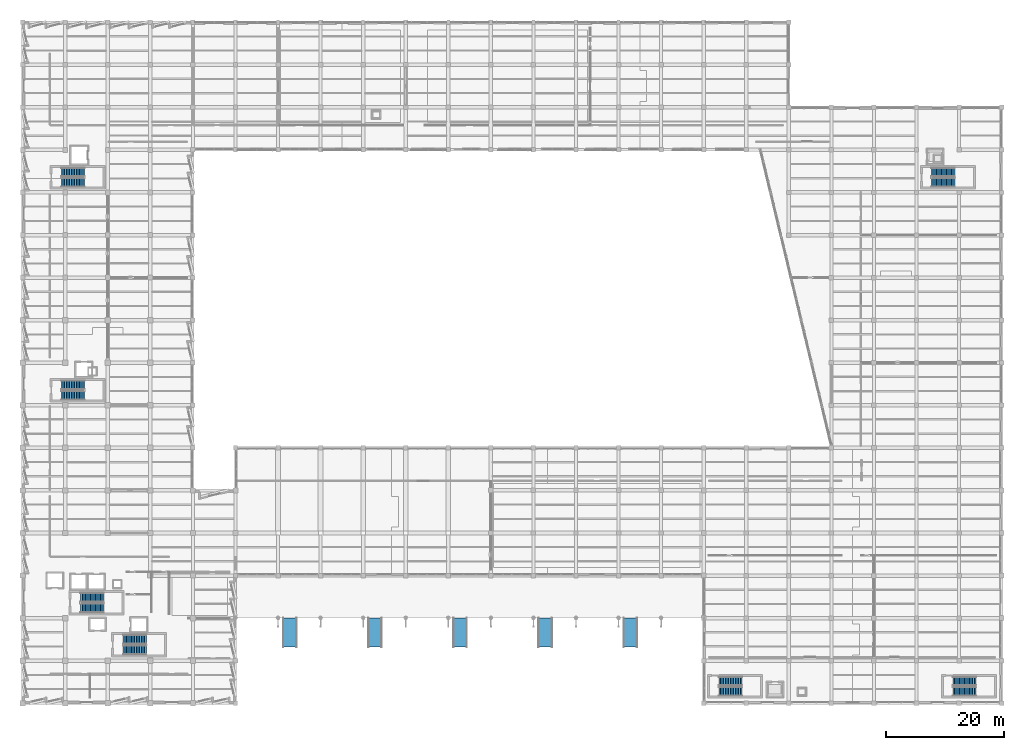
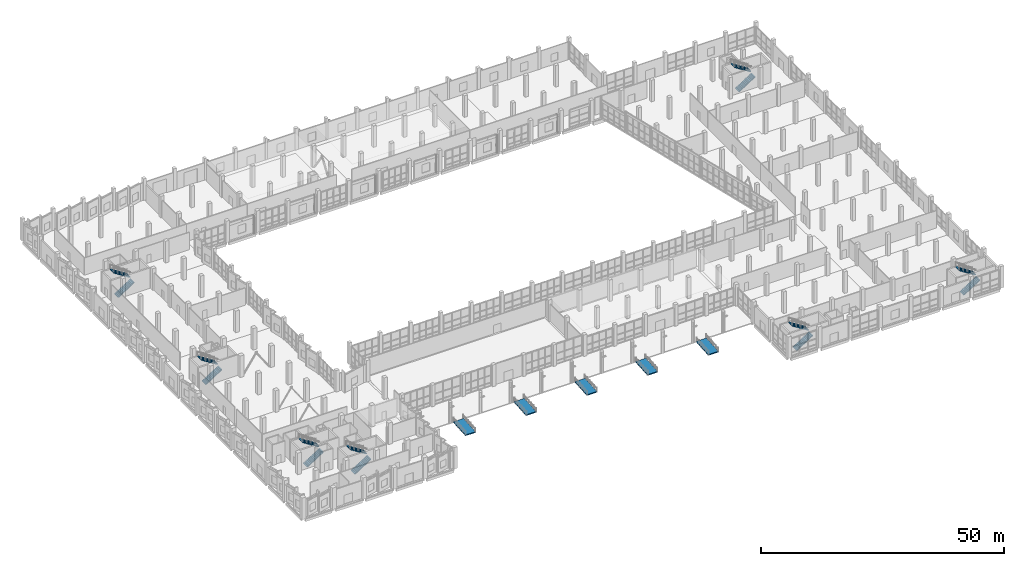
# One storey, part 113 of 137: 14 stair flights, 5 ramp flights, 12 elements without a shape of their own.
"""IFC4 building model written with IfcOpenShell, lengths in metres."""

from ifc_helpers import new_model, si_unit, direction, frame, origin, place, context, subcontext, project, spatial, polyline, outline, extrude, material, layer, layer_set, type_object, element, aggregate, save


model = new_model("IFC4")

# Units and contexts
model_context = context("Model", 3, precision=1e-05, world=origin(), true_north=direction((0.0, 1.0)))
body_context = subcontext(model_context, "Body", "Model", "MODEL_VIEW")
ifc_project = project(units=[si_unit("LENGTHUNIT", "METRE"), si_unit("AREAUNIT", "SQUARE_METRE"), si_unit("VOLUMEUNIT", "CUBIC_METRE"), si_unit("PLANEANGLEUNIT", "RADIAN"), si_unit("MASSUNIT", "GRAM", prefix="KILO")], contexts=[model_context])

# Site, building, storey
site_placement = place(None, origin())
site = spatial("IfcSite", under=ifc_project, at=site_placement, CompositionType="ELEMENT")
building_placement = place(site_placement, origin())
building = spatial("IfcBuilding", under=site, at=building_placement, Name="Kalmorath City Hall", CompositionType="ELEMENT")
storey_placement = place(building_placement, origin())
storey = spatial("IfcBuildingStorey", under=building, at=storey_placement, Name="L00", CompositionType="ELEMENT", Elevation=0.0)

# Stair, stair flights
ifc_material_1 = material(Name="Concrete C40/50", Category="concrete")
stair_type_1 = type_object("IfcStairType", Name="Dogleg concrete exit stair 30R x 180mm W1550", PredefinedType="HALF_TURN_STAIR", material=ifc_material_1)
stair_1_placement = place(storey_placement, origin())
stair_1 = element("IfcStair", 1, at=stair_1_placement, inside=storey, type_object=stair_type_1, Name="L00 Protected exit stair ST-3", PredefinedType="HALF_TURN_STAIR")
ifc_material_2 = material(Name="Concrete C40/50", Category="concrete")
stair_flight_type_1 = type_object("IfcStairFlightType", Name="Concrete stair flight 180x280 W1550", PredefinedType="STRAIGHT", material=ifc_material_2)
stair_flight_1_placement = place(storey_placement, frame((6.550048828125, 52.074951171875, 0.0), z_axis=(0.0, 0.0, 1.0), x_axis=(1.0, 0.0, 0.0)))
stair_flight_1 = element("IfcStairFlight", 2, at=stair_flight_1_placement, type_object=stair_flight_type_1, Name="ST-3 flight 1", NumberOfRisers=15, NumberOfTreads=14, PredefinedType="STRAIGHT", RiserHeight=0.18, TreadLength=0.28, context=body_context, shape_type="SweptSolid", body=[
    extrude(outline(polyline([(0.0, 0.0), (0.0, 0.179931640625), (0.280029296875, 0.179931640625), (0.280029296875, 0.360107421875), (0.56005859375, 0.360107421875), (0.56005859375, 0.5400390625), (0.840087890625, 0.5400390625), (0.840087890625, 0.719970703125), (1.1201171875, 0.719970703125), (1.1201171875, 0.89990234375), (1.39990234375, 0.89990234375), (1.39990234375, 1.080078125), (1.679931640625, 1.080078125), (1.679931640625, 1.260009765625), (1.9599609375, 1.260009765625), (1.9599609375, 1.43994140625), (2.239990234375, 1.43994140625), (2.239990234375, 1.6201171875), (2.52001953125, 1.6201171875), (2.52001953125, 1.800048828125), (2.800048828125, 1.800048828125), (2.800048828125, 1.97998046875), (3.080078125, 1.97998046875), (3.080078125, 2.159912109375), (3.360107421875, 2.159912109375), (3.360107421875, 2.340087890625), (3.639892578125, 2.340087890625), (3.639892578125, 2.52001953125), (3.919921875, 2.52001953125), (3.919921875, 2.699951171875), (3.919921875, 2.341796875), (0.277099609375, 0.0), (0.0, 0.0)])), frame((0.0, 0.77490234375, 0.0), z_axis=(0.0, -1.0, 0.0), x_axis=(1.0, 0.0, 0.0)), (0.0, 0.0, 1.0), 1.550048828125),
])
stair_flight_2_placement = place(storey_placement, frame((10.469970703125, 53.824951171875, 2.699951171875), z_axis=(0.0, 0.0, 1.0), x_axis=(-1.0, 0.0, 0.0)))
stair_flight_2 = element("IfcStairFlight", 3, at=stair_flight_2_placement, type_object=stair_flight_type_1, Name="ST-3 flight 2", NumberOfRisers=15, NumberOfTreads=14, PredefinedType="STRAIGHT", RiserHeight=0.18, TreadLength=0.28, context=body_context, shape_type="SweptSolid", body=[
    extrude(outline(polyline([(0.0, 0.0), (0.0, 0.179931640625), (0.280029296875, 0.179931640625), (0.280029296875, 0.360107421875), (0.56005859375, 0.360107421875), (0.56005859375, 0.5400390625), (0.840087890625, 0.5400390625), (0.840087890625, 0.719970703125), (1.1201171875, 0.719970703125), (1.1201171875, 0.89990234375), (1.39990234375, 0.89990234375), (1.39990234375, 1.080078125), (1.679931640625, 1.080078125), (1.679931640625, 1.260009765625), (1.9599609375, 1.260009765625), (1.9599609375, 1.43994140625), (2.239990234375, 1.43994140625), (2.239990234375, 1.6201171875), (2.52001953125, 1.6201171875), (2.52001953125, 1.800048828125), (2.800048828125, 1.800048828125), (2.800048828125, 1.97998046875), (3.080078125, 1.97998046875), (3.080078125, 2.159912109375), (3.360107421875, 2.159912109375), (3.360107421875, 2.340087890625), (3.639892578125, 2.340087890625), (3.639892578125, 2.52001953125), (3.919921875, 2.52001953125), (3.919921875, 2.699951171875), (3.919921875, 2.341796875), (0.277099609375, 0.0), (0.0, 0.0)])), frame((0.0, 0.77490234375, 0.0), z_axis=(0.0, -1.0, 0.0), x_axis=(1.0, 0.0, 0.0)), (0.0, 0.0, 1.0), 1.550048828125),
])
aggregate(stair_1, [stair_flight_1, stair_flight_2])

stair_2_placement = place(storey_placement, origin())
stair_2 = element("IfcStair", 4, at=stair_2_placement, inside=storey, type_object=stair_type_1, Name="L00 Protected exit stair ST-4", PredefinedType="HALF_TURN_STAIR")
stair_flight_3_placement = place(storey_placement, frame((6.550048828125, 88.074951171875, 0.0), z_axis=(0.0, 0.0, 1.0), x_axis=(1.0, 0.0, 0.0)))
stair_flight_3 = element("IfcStairFlight", 5, at=stair_flight_3_placement, type_object=stair_flight_type_1, Name="ST-4 flight 1", NumberOfRisers=15, NumberOfTreads=14, PredefinedType="STRAIGHT", RiserHeight=0.18, TreadLength=0.28, context=body_context, shape_type="SweptSolid", body=[
    extrude(outline(polyline([(0.0, 0.0), (0.0, 0.179931640625), (0.280029296875, 0.179931640625), (0.280029296875, 0.360107421875), (0.56005859375, 0.360107421875), (0.56005859375, 0.5400390625), (0.840087890625, 0.5400390625), (0.840087890625, 0.719970703125), (1.1201171875, 0.719970703125), (1.1201171875, 0.89990234375), (1.39990234375, 0.89990234375), (1.39990234375, 1.080078125), (1.679931640625, 1.080078125), (1.679931640625, 1.260009765625), (1.9599609375, 1.260009765625), (1.9599609375, 1.43994140625), (2.239990234375, 1.43994140625), (2.239990234375, 1.6201171875), (2.52001953125, 1.6201171875), (2.52001953125, 1.800048828125), (2.800048828125, 1.800048828125), (2.800048828125, 1.97998046875), (3.080078125, 1.97998046875), (3.080078125, 2.159912109375), (3.360107421875, 2.159912109375), (3.360107421875, 2.340087890625), (3.639892578125, 2.340087890625), (3.639892578125, 2.52001953125), (3.919921875, 2.52001953125), (3.919921875, 2.699951171875), (3.919921875, 2.341796875), (0.277099609375, 0.0), (0.0, 0.0)])), frame((0.0, 0.77490234375, 0.0), z_axis=(0.0, -1.0, 0.0), x_axis=(1.0, 0.0, 0.0)), (0.0, 0.0, 1.0), 1.550048828125),
])
stair_flight_4_placement = place(storey_placement, frame((10.469970703125, 89.824951171875, 2.699951171875), z_axis=(0.0, 0.0, 1.0), x_axis=(-1.0, 0.0, 0.0)))
stair_flight_4 = element("IfcStairFlight", 6, at=stair_flight_4_placement, type_object=stair_flight_type_1, Name="ST-4 flight 2", NumberOfRisers=15, NumberOfTreads=14, PredefinedType="STRAIGHT", RiserHeight=0.18, TreadLength=0.28, context=body_context, shape_type="SweptSolid", body=[
    extrude(outline(polyline([(0.0, 0.0), (0.0, 0.179931640625), (0.280029296875, 0.179931640625), (0.280029296875, 0.360107421875), (0.56005859375, 0.360107421875), (0.56005859375, 0.5400390625), (0.840087890625, 0.5400390625), (0.840087890625, 0.719970703125), (1.1201171875, 0.719970703125), (1.1201171875, 0.89990234375), (1.39990234375, 0.89990234375), (1.39990234375, 1.080078125), (1.679931640625, 1.080078125), (1.679931640625, 1.260009765625), (1.9599609375, 1.260009765625), (1.9599609375, 1.43994140625), (2.239990234375, 1.43994140625), (2.239990234375, 1.6201171875), (2.52001953125, 1.6201171875), (2.52001953125, 1.800048828125), (2.800048828125, 1.800048828125), (2.800048828125, 1.97998046875), (3.080078125, 1.97998046875), (3.080078125, 2.159912109375), (3.360107421875, 2.159912109375), (3.360107421875, 2.340087890625), (3.639892578125, 2.340087890625), (3.639892578125, 2.52001953125), (3.919921875, 2.52001953125), (3.919921875, 2.699951171875), (3.919921875, 2.341796875), (0.277099609375, 0.0), (0.0, 0.0)])), frame((0.0, 0.77490234375, 0.0), z_axis=(0.0, -1.0, 0.0), x_axis=(1.0, 0.0, 0.0)), (0.0, 0.0, 1.0), 1.550048828125),
])
aggregate(stair_2, [stair_flight_3, stair_flight_4])

stair_3_placement = place(storey_placement, origin())
stair_3 = element("IfcStair", 7, at=stair_3_placement, inside=storey, type_object=stair_type_1, Name="L00 Protected exit stair ST-5", PredefinedType="HALF_TURN_STAIR")
stair_flight_5_placement = place(storey_placement, frame((117.75, 1.97509765625, 0.0), z_axis=(0.0, 0.0, 1.0), x_axis=(1.0, 0.0, 0.0)))
stair_flight_5 = element("IfcStairFlight", 8, at=stair_flight_5_placement, type_object=stair_flight_type_1, Name="ST-5 flight 1", NumberOfRisers=15, NumberOfTreads=14, PredefinedType="STRAIGHT", RiserHeight=0.18, TreadLength=0.28, context=body_context, shape_type="SweptSolid", body=[
    extrude(outline(polyline([(0.0, 0.0), (0.0, 0.179931640625), (0.280029296875, 0.179931640625), (0.280029296875, 0.360107421875), (0.56005859375, 0.360107421875), (0.56005859375, 0.5400390625), (0.840087890625, 0.5400390625), (0.840087890625, 0.719970703125), (1.1201171875, 0.719970703125), (1.1201171875, 0.89990234375), (1.39990234375, 0.89990234375), (1.39990234375, 1.080078125), (1.679931640625, 1.080078125), (1.679931640625, 1.260009765625), (1.9599609375, 1.260009765625), (1.9599609375, 1.43994140625), (2.239990234375, 1.43994140625), (2.239990234375, 1.6201171875), (2.52001953125, 1.6201171875), (2.52001953125, 1.800048828125), (2.800048828125, 1.800048828125), (2.800048828125, 1.97998046875), (3.080078125, 1.97998046875), (3.080078125, 2.159912109375), (3.360107421875, 2.159912109375), (3.360107421875, 2.340087890625), (3.639892578125, 2.340087890625), (3.639892578125, 2.52001953125), (3.919921875, 2.52001953125), (3.919921875, 2.699951171875), (3.919921875, 2.341796875), (0.277099609375, 0.0), (0.0, 0.0)])), frame((0.0, 0.77490234375, 0.0), z_axis=(0.0, -1.0, 0.0), x_axis=(1.0, 0.0, 0.0)), (0.0, 0.0, 1.0), 1.550048828125),
])
stair_flight_6_placement = place(storey_placement, frame((121.669921875, 3.72509765625, 2.699951171875), z_axis=(0.0, 0.0, 1.0), x_axis=(-1.0, 0.0, 0.0)))
stair_flight_6 = element("IfcStairFlight", 9, at=stair_flight_6_placement, type_object=stair_flight_type_1, Name="ST-5 flight 2", NumberOfRisers=15, NumberOfTreads=14, PredefinedType="STRAIGHT", RiserHeight=0.18, TreadLength=0.28, context=body_context, shape_type="SweptSolid", body=[
    extrude(outline(polyline([(0.0, 0.0), (0.0, 0.179931640625), (0.280029296875, 0.179931640625), (0.280029296875, 0.360107421875), (0.56005859375, 0.360107421875), (0.56005859375, 0.5400390625), (0.840087890625, 0.5400390625), (0.840087890625, 0.719970703125), (1.1201171875, 0.719970703125), (1.1201171875, 0.89990234375), (1.39990234375, 0.89990234375), (1.39990234375, 1.080078125), (1.679931640625, 1.080078125), (1.679931640625, 1.260009765625), (1.9599609375, 1.260009765625), (1.9599609375, 1.43994140625), (2.239990234375, 1.43994140625), (2.239990234375, 1.6201171875), (2.52001953125, 1.6201171875), (2.52001953125, 1.800048828125), (2.800048828125, 1.800048828125), (2.800048828125, 1.97998046875), (3.080078125, 1.97998046875), (3.080078125, 2.159912109375), (3.360107421875, 2.159912109375), (3.360107421875, 2.340087890625), (3.639892578125, 2.340087890625), (3.639892578125, 2.52001953125), (3.919921875, 2.52001953125), (3.919921875, 2.699951171875), (3.919921875, 2.341796875), (0.277099609375, 0.0), (0.0, 0.0)])), frame((0.0, 0.77490234375, 0.0), z_axis=(0.0, -1.0, 0.0), x_axis=(1.0, 0.0, 0.0)), (0.0, 0.0, 1.0), 1.550048828125),
])
aggregate(stair_3, [stair_flight_5, stair_flight_6])

stair_4_placement = place(storey_placement, origin())
stair_4 = element("IfcStair", 10, at=stair_4_placement, inside=storey, type_object=stair_type_1, Name="L00 Protected exit stair ST-6", PredefinedType="HALF_TURN_STAIR")
stair_flight_7_placement = place(storey_placement, frame((153.75, 88.074951171875, 0.0), z_axis=(0.0, 0.0, 1.0), x_axis=(1.0, 0.0, 0.0)))
stair_flight_7 = element("IfcStairFlight", 11, at=stair_flight_7_placement, type_object=stair_flight_type_1, Name="ST-6 flight 1", NumberOfRisers=15, NumberOfTreads=14, PredefinedType="STRAIGHT", RiserHeight=0.18, TreadLength=0.28, context=body_context, shape_type="SweptSolid", body=[
    extrude(outline(polyline([(0.0, 0.0), (0.0, 0.179931640625), (0.280029296875, 0.179931640625), (0.280029296875, 0.360107421875), (0.56005859375, 0.360107421875), (0.56005859375, 0.5400390625), (0.840087890625, 0.5400390625), (0.840087890625, 0.719970703125), (1.1201171875, 0.719970703125), (1.1201171875, 0.89990234375), (1.39990234375, 0.89990234375), (1.39990234375, 1.080078125), (1.679931640625, 1.080078125), (1.679931640625, 1.260009765625), (1.9599609375, 1.260009765625), (1.9599609375, 1.43994140625), (2.239990234375, 1.43994140625), (2.239990234375, 1.6201171875), (2.52001953125, 1.6201171875), (2.52001953125, 1.800048828125), (2.800048828125, 1.800048828125), (2.800048828125, 1.97998046875), (3.080078125, 1.97998046875), (3.080078125, 2.159912109375), (3.360107421875, 2.159912109375), (3.360107421875, 2.340087890625), (3.639892578125, 2.340087890625), (3.639892578125, 2.52001953125), (3.919921875, 2.52001953125), (3.919921875, 2.699951171875), (3.919921875, 2.341796875), (0.277099609375, 0.0), (0.0, 0.0)])), frame((0.0, 0.77490234375, 0.0), z_axis=(0.0, -1.0, 0.0), x_axis=(1.0, 0.0, 0.0)), (0.0, 0.0, 1.0), 1.550048828125),
])
stair_flight_8_placement = place(storey_placement, frame((157.669921875, 89.824951171875, 2.699951171875), z_axis=(0.0, 0.0, 1.0), x_axis=(-1.0, 0.0, 0.0)))
stair_flight_8 = element("IfcStairFlight", 12, at=stair_flight_8_placement, type_object=stair_flight_type_1, Name="ST-6 flight 2", NumberOfRisers=15, NumberOfTreads=14, PredefinedType="STRAIGHT", RiserHeight=0.18, TreadLength=0.28, context=body_context, shape_type="SweptSolid", body=[
    extrude(outline(polyline([(0.0, 0.0), (0.0, 0.179931640625), (0.280029296875, 0.179931640625), (0.280029296875, 0.360107421875), (0.56005859375, 0.360107421875), (0.56005859375, 0.5400390625), (0.840087890625, 0.5400390625), (0.840087890625, 0.719970703125), (1.1201171875, 0.719970703125), (1.1201171875, 0.89990234375), (1.39990234375, 0.89990234375), (1.39990234375, 1.080078125), (1.679931640625, 1.080078125), (1.679931640625, 1.260009765625), (1.9599609375, 1.260009765625), (1.9599609375, 1.43994140625), (2.239990234375, 1.43994140625), (2.239990234375, 1.6201171875), (2.52001953125, 1.6201171875), (2.52001953125, 1.800048828125), (2.800048828125, 1.800048828125), (2.800048828125, 1.97998046875), (3.080078125, 1.97998046875), (3.080078125, 2.159912109375), (3.360107421875, 2.159912109375), (3.360107421875, 2.340087890625), (3.639892578125, 2.340087890625), (3.639892578125, 2.52001953125), (3.919921875, 2.52001953125), (3.919921875, 2.699951171875), (3.919921875, 2.341796875), (0.277099609375, 0.0), (0.0, 0.0)])), frame((0.0, 0.77490234375, 0.0), z_axis=(0.0, -1.0, 0.0), x_axis=(1.0, 0.0, 0.0)), (0.0, 0.0, 1.0), 1.550048828125),
])
aggregate(stair_4, [stair_flight_7, stair_flight_8])

stair_5_placement = place(storey_placement, origin())
stair_5 = element("IfcStair", 13, at=stair_5_placement, inside=storey, type_object=stair_type_1, Name="L00 Protected exit stair ST-7", PredefinedType="HALF_TURN_STAIR")
stair_flight_9_placement = place(storey_placement, frame((157.35009765625, 1.97509765625, 0.0), z_axis=(0.0, 0.0, 1.0), x_axis=(1.0, 0.0, 0.0)))
stair_flight_9 = element("IfcStairFlight", 14, at=stair_flight_9_placement, type_object=stair_flight_type_1, Name="ST-7 flight 1", NumberOfRisers=15, NumberOfTreads=14, PredefinedType="STRAIGHT", RiserHeight=0.18, TreadLength=0.28, context=body_context, shape_type="SweptSolid", body=[
    extrude(outline(polyline([(0.0, 0.0), (0.0, 0.179931640625), (0.280029296875, 0.179931640625), (0.280029296875, 0.360107421875), (0.56005859375, 0.360107421875), (0.56005859375, 0.5400390625), (0.840087890625, 0.5400390625), (0.840087890625, 0.719970703125), (1.1201171875, 0.719970703125), (1.1201171875, 0.89990234375), (1.39990234375, 0.89990234375), (1.39990234375, 1.080078125), (1.679931640625, 1.080078125), (1.679931640625, 1.260009765625), (1.9599609375, 1.260009765625), (1.9599609375, 1.43994140625), (2.239990234375, 1.43994140625), (2.239990234375, 1.6201171875), (2.52001953125, 1.6201171875), (2.52001953125, 1.800048828125), (2.800048828125, 1.800048828125), (2.800048828125, 1.97998046875), (3.080078125, 1.97998046875), (3.080078125, 2.159912109375), (3.360107421875, 2.159912109375), (3.360107421875, 2.340087890625), (3.639892578125, 2.340087890625), (3.639892578125, 2.52001953125), (3.919921875, 2.52001953125), (3.919921875, 2.699951171875), (3.919921875, 2.341796875), (0.277099609375, 0.0), (0.0, 0.0)])), frame((0.0, 0.77490234375, 0.0), z_axis=(0.0, -1.0, 0.0), x_axis=(1.0, 0.0, 0.0)), (0.0, 0.0, 1.0), 1.550048828125),
])
stair_flight_10_placement = place(storey_placement, frame((161.27001953125, 3.72509765625, 2.699951171875), z_axis=(0.0, 0.0, 1.0), x_axis=(-1.0, 0.0, 0.0)))
stair_flight_10 = element("IfcStairFlight", 15, at=stair_flight_10_placement, type_object=stair_flight_type_1, Name="ST-7 flight 2", NumberOfRisers=15, NumberOfTreads=14, PredefinedType="STRAIGHT", RiserHeight=0.18, TreadLength=0.28, context=body_context, shape_type="SweptSolid", body=[
    extrude(outline(polyline([(0.0, 0.0), (0.0, 0.179931640625), (0.280029296875, 0.179931640625), (0.280029296875, 0.360107421875), (0.56005859375, 0.360107421875), (0.56005859375, 0.5400390625), (0.840087890625, 0.5400390625), (0.840087890625, 0.719970703125), (1.1201171875, 0.719970703125), (1.1201171875, 0.89990234375), (1.39990234375, 0.89990234375), (1.39990234375, 1.080078125), (1.679931640625, 1.080078125), (1.679931640625, 1.260009765625), (1.9599609375, 1.260009765625), (1.9599609375, 1.43994140625), (2.239990234375, 1.43994140625), (2.239990234375, 1.6201171875), (2.52001953125, 1.6201171875), (2.52001953125, 1.800048828125), (2.800048828125, 1.800048828125), (2.800048828125, 1.97998046875), (3.080078125, 1.97998046875), (3.080078125, 2.159912109375), (3.360107421875, 2.159912109375), (3.360107421875, 2.340087890625), (3.639892578125, 2.340087890625), (3.639892578125, 2.52001953125), (3.919921875, 2.52001953125), (3.919921875, 2.699951171875), (3.919921875, 2.341796875), (0.277099609375, 0.0), (0.0, 0.0)])), frame((0.0, 0.77490234375, 0.0), z_axis=(0.0, -1.0, 0.0), x_axis=(1.0, 0.0, 0.0)), (0.0, 0.0, 1.0), 1.550048828125),
])
aggregate(stair_5, [stair_flight_9, stair_flight_10])

ifc_material_3 = material(Name="Concrete C40/50", Category="concrete")
stair_type_2 = type_object("IfcStairType", Name="Dogleg concrete exit stair 30R x 180mm W1600", PredefinedType="HALF_TURN_STAIR", material=ifc_material_3)
stair_6_placement = place(storey_placement, origin())
stair_6 = element("IfcStair", 16, at=stair_6_placement, inside=storey, type_object=stair_type_2, Name="L00 Protected exit stair ST-1", PredefinedType="HALF_TURN_STAIR")
ifc_material_4 = material(Name="Concrete C40/50", Category="concrete")
stair_flight_type_2 = type_object("IfcStairFlightType", Name="Concrete stair flight 180x280 W1600", PredefinedType="STRAIGHT", material=ifc_material_4)
stair_flight_11_placement = place(storey_placement, frame((9.800048828125, 16.10009765625, 0.0), z_axis=(0.0, 0.0, 1.0), x_axis=(1.0, 0.0, 0.0)))
stair_flight_11 = element("IfcStairFlight", 17, at=stair_flight_11_placement, type_object=stair_flight_type_2, Name="ST-1 flight 1", NumberOfRisers=15, NumberOfTreads=14, PredefinedType="STRAIGHT", RiserHeight=0.18, TreadLength=0.28, context=body_context, shape_type="SweptSolid", body=[
    extrude(outline(polyline([(0.0, 0.0), (0.0, 0.179931640625), (0.280029296875, 0.179931640625), (0.280029296875, 0.360107421875), (0.56005859375, 0.360107421875), (0.56005859375, 0.5400390625), (0.840087890625, 0.5400390625), (0.840087890625, 0.719970703125), (1.1201171875, 0.719970703125), (1.1201171875, 0.89990234375), (1.39990234375, 0.89990234375), (1.39990234375, 1.080078125), (1.679931640625, 1.080078125), (1.679931640625, 1.260009765625), (1.9599609375, 1.260009765625), (1.9599609375, 1.43994140625), (2.239990234375, 1.43994140625), (2.239990234375, 1.6201171875), (2.52001953125, 1.6201171875), (2.52001953125, 1.800048828125), (2.800048828125, 1.800048828125), (2.800048828125, 1.97998046875), (3.080078125, 1.97998046875), (3.080078125, 2.159912109375), (3.360107421875, 2.159912109375), (3.360107421875, 2.340087890625), (3.639892578125, 2.340087890625), (3.639892578125, 2.52001953125), (3.919921875, 2.52001953125), (3.919921875, 2.699951171875), (3.919921875, 2.341796875), (0.277099609375, 0.0), (0.0, 0.0)])), frame((0.0, 0.800048828125, 0.0), z_axis=(0.0, -1.0, 0.0), x_axis=(1.0, 0.0, 0.0)), (0.0, 0.0, 1.0), 1.60009765625),
])
stair_flight_12_placement = place(storey_placement, frame((13.719970703125, 17.89990234375, 2.699951171875), z_axis=(0.0, 0.0, 1.0), x_axis=(-1.0, 0.0, 0.0)))
stair_flight_12 = element("IfcStairFlight", 18, at=stair_flight_12_placement, type_object=stair_flight_type_2, Name="ST-1 flight 2", NumberOfRisers=15, NumberOfTreads=14, PredefinedType="STRAIGHT", RiserHeight=0.18, TreadLength=0.28, context=body_context, shape_type="SweptSolid", body=[
    extrude(outline(polyline([(0.0, 0.0), (0.0, 0.179931640625), (0.280029296875, 0.179931640625), (0.280029296875, 0.360107421875), (0.56005859375, 0.360107421875), (0.56005859375, 0.5400390625), (0.840087890625, 0.5400390625), (0.840087890625, 0.719970703125), (1.1201171875, 0.719970703125), (1.1201171875, 0.89990234375), (1.39990234375, 0.89990234375), (1.39990234375, 1.080078125), (1.679931640625, 1.080078125), (1.679931640625, 1.260009765625), (1.9599609375, 1.260009765625), (1.9599609375, 1.43994140625), (2.239990234375, 1.43994140625), (2.239990234375, 1.6201171875), (2.52001953125, 1.6201171875), (2.52001953125, 1.800048828125), (2.800048828125, 1.800048828125), (2.800048828125, 1.97998046875), (3.080078125, 1.97998046875), (3.080078125, 2.159912109375), (3.360107421875, 2.159912109375), (3.360107421875, 2.340087890625), (3.639892578125, 2.340087890625), (3.639892578125, 2.52001953125), (3.919921875, 2.52001953125), (3.919921875, 2.699951171875), (3.919921875, 2.341796875), (0.277099609375, 0.0), (0.0, 0.0)])), frame((0.0, 0.800048828125, 0.0), z_axis=(0.0, -1.0, 0.0), x_axis=(1.0, 0.0, 0.0)), (0.0, 0.0, 1.0), 1.60009765625),
])
aggregate(stair_6, [stair_flight_11, stair_flight_12])

stair_7_placement = place(storey_placement, origin())
stair_7 = element("IfcStair", 19, at=stair_7_placement, inside=storey, type_object=stair_type_2, Name="L00 Protected exit stair ST-2", PredefinedType="HALF_TURN_STAIR")
stair_flight_13_placement = place(storey_placement, frame((17.0, 9.0, 0.0), z_axis=(0.0, 0.0, 1.0), x_axis=(1.0, 0.0, 0.0)))
stair_flight_13 = element("IfcStairFlight", 20, at=stair_flight_13_placement, type_object=stair_flight_type_2, Name="ST-2 flight 1", NumberOfRisers=15, NumberOfTreads=14, PredefinedType="STRAIGHT", RiserHeight=0.18, TreadLength=0.28, context=body_context, shape_type="SweptSolid", body=[
    extrude(outline(polyline([(0.0, 0.0), (0.0, 0.179931640625), (0.280029296875, 0.179931640625), (0.280029296875, 0.360107421875), (0.56005859375, 0.360107421875), (0.56005859375, 0.5400390625), (0.840087890625, 0.5400390625), (0.840087890625, 0.719970703125), (1.1201171875, 0.719970703125), (1.1201171875, 0.89990234375), (1.39990234375, 0.89990234375), (1.39990234375, 1.080078125), (1.679931640625, 1.080078125), (1.679931640625, 1.260009765625), (1.9599609375, 1.260009765625), (1.9599609375, 1.43994140625), (2.239990234375, 1.43994140625), (2.239990234375, 1.6201171875), (2.52001953125, 1.6201171875), (2.52001953125, 1.800048828125), (2.800048828125, 1.800048828125), (2.800048828125, 1.97998046875), (3.080078125, 1.97998046875), (3.080078125, 2.159912109375), (3.360107421875, 2.159912109375), (3.360107421875, 2.340087890625), (3.639892578125, 2.340087890625), (3.639892578125, 2.52001953125), (3.919921875, 2.52001953125), (3.919921875, 2.699951171875), (3.919921875, 2.341796875), (0.277099609375, 0.0), (0.0, 0.0)])), frame((0.0, 0.800048828125, 0.0), z_axis=(0.0, -1.0, 0.0), x_axis=(1.0, 0.0, 0.0)), (0.0, 0.0, 1.0), 1.60009765625),
])
stair_flight_14_placement = place(storey_placement, frame((20.919921875, 10.800048828125, 2.699951171875), z_axis=(0.0, 0.0, 1.0), x_axis=(-1.0, 0.0, 0.0)))
stair_flight_14 = element("IfcStairFlight", 21, at=stair_flight_14_placement, type_object=stair_flight_type_2, Name="ST-2 flight 2", NumberOfRisers=15, NumberOfTreads=14, PredefinedType="STRAIGHT", RiserHeight=0.18, TreadLength=0.28, context=body_context, shape_type="SweptSolid", body=[
    extrude(outline(polyline([(0.0, 0.0), (0.0, 0.179931640625), (0.280029296875, 0.179931640625), (0.280029296875, 0.360107421875), (0.56005859375, 0.360107421875), (0.56005859375, 0.5400390625), (0.840087890625, 0.5400390625), (0.840087890625, 0.719970703125), (1.1201171875, 0.719970703125), (1.1201171875, 0.89990234375), (1.39990234375, 0.89990234375), (1.39990234375, 1.080078125), (1.679931640625, 1.080078125), (1.679931640625, 1.260009765625), (1.9599609375, 1.260009765625), (1.9599609375, 1.43994140625), (2.239990234375, 1.43994140625), (2.239990234375, 1.6201171875), (2.52001953125, 1.6201171875), (2.52001953125, 1.800048828125), (2.800048828125, 1.800048828125), (2.800048828125, 1.97998046875), (3.080078125, 1.97998046875), (3.080078125, 2.159912109375), (3.360107421875, 2.159912109375), (3.360107421875, 2.340087890625), (3.639892578125, 2.340087890625), (3.639892578125, 2.52001953125), (3.919921875, 2.52001953125), (3.919921875, 2.699951171875), (3.919921875, 2.341796875), (0.277099609375, 0.0), (0.0, 0.0)])), frame((0.0, 0.800048828125, 0.0), z_axis=(0.0, -1.0, 0.0), x_axis=(1.0, 0.0, 0.0)), (0.0, 0.0, 1.0), 1.60009765625),
])
aggregate(stair_7, [stair_flight_13, stair_flight_14])

# Ramp, ramp flight
ifc_material_5 = material(Name="Concrete C40/50", Category="concrete")
ramp_type = type_object("IfcRampType", Name="Step-free civic entrance ramp", PredefinedType="STRAIGHT_RUN_RAMP", material=ifc_material_5)
ramp_1_placement = place(storey_placement, origin())
ramp_1 = element("IfcRamp", 22, at=ramp_1_placement, inside=storey, type_object=ramp_type, Name="Civic Square step-free entrance ramp 1", PredefinedType="STRAIGHT_RUN_RAMP")
ifc_material_6 = material(Name="Concrete C40/50", Category="concrete")
ifc_layer = layer(ifc_material_6, 0.25)
ifc_layer_set = layer_set([ifc_layer], Name="Concrete C40/50")
ramp_flight_type = type_object("IfcRampFlightType", Name="Concrete entrance ramp flight 2400", PredefinedType="STRAIGHT", material=ifc_layer_set)
ramp_flight_1_placement = place(storey_placement, frame((45.199951171875, 9.5, -0.35009765625), z_axis=(0.0, 0.0, 1.0), x_axis=(0.0, 1.0, 0.0)))
ramp_flight_1 = element("IfcRampFlight", 23, at=ramp_flight_1_placement, type_object=ramp_flight_type, Name="Entrance ramp 1 flight", PredefinedType="STRAIGHT", context=body_context, shape_type="SweptSolid", body=[
    extrude(outline(polyline([(0.0, -0.25), (4.89990234375, 0.10009765625), (4.89990234375, 0.35009765625), (0.0, 0.0), (0.0, -0.25)])), frame((0.0, 1.199951171875, 0.0), z_axis=(0.0, -1.0, 0.0), x_axis=(1.0, 0.0, 0.0)), (0.0, 0.0, 1.0), 2.39990234375),
])
aggregate(ramp_1, [ramp_flight_1])

ramp_2_placement = place(storey_placement, origin())
ramp_2 = element("IfcRamp", 24, at=ramp_2_placement, inside=storey, type_object=ramp_type, Name="Civic Square step-free entrance ramp 2", PredefinedType="STRAIGHT_RUN_RAMP")
ramp_flight_2_placement = place(storey_placement, frame((59.60009765625, 9.5, -0.35009765625), z_axis=(0.0, 0.0, 1.0), x_axis=(0.0, 1.0, 0.0)))
ramp_flight_2 = element("IfcRampFlight", 25, at=ramp_flight_2_placement, type_object=ramp_flight_type, Name="Entrance ramp 2 flight", PredefinedType="STRAIGHT", context=body_context, shape_type="SweptSolid", body=[
    extrude(outline(polyline([(0.0, -0.25), (4.89990234375, 0.10009765625), (4.89990234375, 0.35009765625), (0.0, 0.0), (0.0, -0.25)])), frame((0.0, 1.199951171875, 0.0), z_axis=(0.0, -1.0, 0.0), x_axis=(1.0, 0.0, 0.0)), (0.0, 0.0, 1.0), 2.39990234375),
])
aggregate(ramp_2, [ramp_flight_2])

ramp_3_placement = place(storey_placement, origin())
ramp_3 = element("IfcRamp", 26, at=ramp_3_placement, inside=storey, type_object=ramp_type, Name="Civic Square step-free entrance ramp 3", PredefinedType="STRAIGHT_RUN_RAMP")
ramp_flight_3_placement = place(storey_placement, frame((74.0, 9.5, -0.35009765625), z_axis=(0.0, 0.0, 1.0), x_axis=(0.0, 1.0, 0.0)))
ramp_flight_3 = element("IfcRampFlight", 27, at=ramp_flight_3_placement, type_object=ramp_flight_type, Name="Entrance ramp 3 flight", PredefinedType="STRAIGHT", context=body_context, shape_type="SweptSolid", body=[
    extrude(outline(polyline([(0.0, -0.25), (4.89990234375, 0.10009765625), (4.89990234375, 0.35009765625), (0.0, 0.0), (0.0, -0.25)])), frame((0.0, 1.199951171875, 0.0), z_axis=(0.0, -1.0, 0.0), x_axis=(1.0, 0.0, 0.0)), (0.0, 0.0, 1.0), 2.39990234375),
])
aggregate(ramp_3, [ramp_flight_3])

ramp_4_placement = place(storey_placement, origin())
ramp_4 = element("IfcRamp", 28, at=ramp_4_placement, inside=storey, type_object=ramp_type, Name="Civic Square step-free entrance ramp 4", PredefinedType="STRAIGHT_RUN_RAMP")
ramp_flight_4_placement = place(storey_placement, frame((88.39990234375, 9.5, -0.35009765625), z_axis=(0.0, 0.0, 1.0), x_axis=(0.0, 1.0, 0.0)))
ramp_flight_4 = element("IfcRampFlight", 29, at=ramp_flight_4_placement, type_object=ramp_flight_type, Name="Entrance ramp 4 flight", PredefinedType="STRAIGHT", context=body_context, shape_type="SweptSolid", body=[
    extrude(outline(polyline([(0.0, -0.25), (4.89990234375, 0.10009765625), (4.89990234375, 0.35009765625), (0.0, 0.0), (0.0, -0.25)])), frame((0.0, 1.199951171875, 0.0), z_axis=(0.0, -1.0, 0.0), x_axis=(1.0, 0.0, 0.0)), (0.0, 0.0, 1.0), 2.39990234375),
])
aggregate(ramp_4, [ramp_flight_4])

ramp_5_placement = place(storey_placement, origin())
ramp_5 = element("IfcRamp", 30, at=ramp_5_placement, inside=storey, type_object=ramp_type, Name="Civic Square step-free entrance ramp 5", PredefinedType="STRAIGHT_RUN_RAMP")
ramp_flight_5_placement = place(storey_placement, frame((102.800048828125, 9.5, -0.35009765625), z_axis=(0.0, 0.0, 1.0), x_axis=(0.0, 1.0, 0.0)))
ramp_flight_5 = element("IfcRampFlight", 31, at=ramp_flight_5_placement, type_object=ramp_flight_type, Name="Entrance ramp 5 flight", PredefinedType="STRAIGHT", context=body_context, shape_type="SweptSolid", body=[
    extrude(outline(polyline([(0.0, -0.25), (4.89990234375, 0.10009765625), (4.89990234375, 0.35009765625), (0.0, 0.0), (0.0, -0.25)])), frame((0.0, 1.199951171875, 0.0), z_axis=(0.0, -1.0, 0.0), x_axis=(1.0, 0.0, 0.0)), (0.0, 0.0, 1.0), 2.39990234375),
])
aggregate(ramp_5, [ramp_flight_5])

save(model, "model.ifc")
